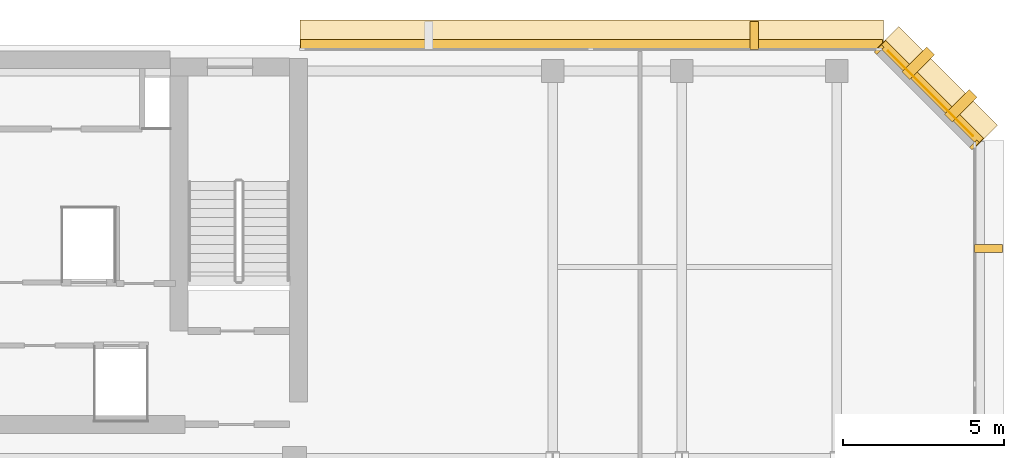
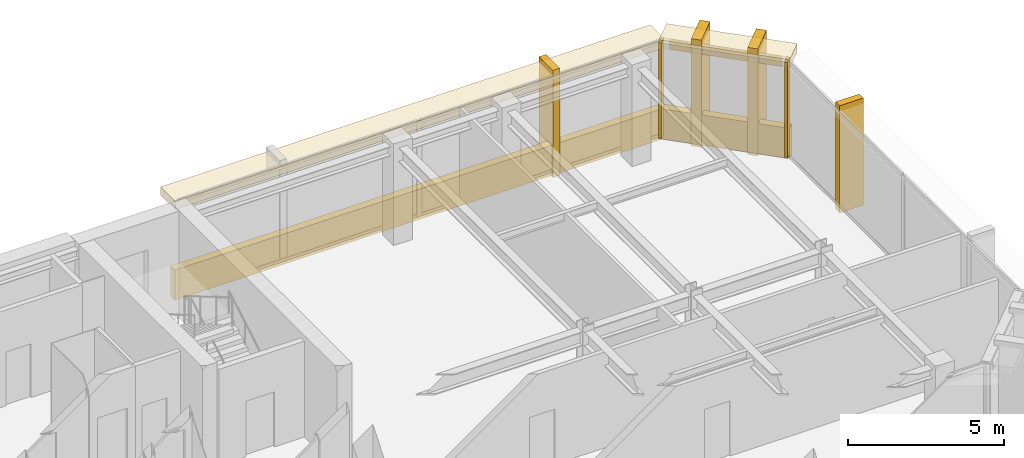
# One storey, part 11 of 11: 11 coverings.
"""IFC4 building model written with IfcOpenShell, lengths in metres."""

from ifc_helpers import new_model, si_unit, direction, frame, origin, origin_2d, place, context, subcontext, project, spatial, rectangle, extrude, material, layer, layer_set, type_object, element, save


model = new_model("IFC4")

# Units and contexts
model_context = context("Model", 3, precision=1e-05, world=origin(), true_north=direction((0.0, 1.0)))
body_context = subcontext(model_context, "Body", "Model", "MODEL_VIEW")
ifc_project = project(units=[si_unit("LENGTHUNIT", "METRE"), si_unit("AREAUNIT", "SQUARE_METRE"), si_unit("VOLUMEUNIT", "CUBIC_METRE"), si_unit("PLANEANGLEUNIT", "RADIAN"), si_unit("MASSUNIT", "GRAM", prefix="KILO")], contexts=[model_context])

# Site, building, storey
site_placement = place(None, origin())
site = spatial("IfcSite", under=ifc_project, at=site_placement, CompositionType="ELEMENT")
building_placement = place(site_placement, origin())
building = spatial("IfcBuilding", under=site, at=building_placement, Name="Kefirva Bronze Tower", CompositionType="ELEMENT")
storey_placement = place(building_placement, frame((0.0, 0.0, 276.2099609375)))
storey = spatial("IfcBuildingStorey", under=building, at=storey_placement, Name="L67", CompositionType="ELEMENT", Elevation=276.2099609375)

# Coverings
ifc_material = material(Name="Bronze anodised aluminium", Category="aluminium")
ifc_layer_1 = layer(ifc_material, 0.02001953125, Name="Bronze anodised aluminium")
ifc_layer_set_1 = layer_set([ifc_layer_1], Name="Bronze anodised aluminium")
covering_type_1 = type_object("IfcCoveringType", Name="Anodised Bronze Spandrel Cladding 20mm", PredefinedType="CLADDING", material=ifc_layer_set_1)
covering_1_placement = place(storey_placement, frame((42.906982421875, 44.507080078125, 3.320068359375), z_axis=(0.0, 0.0, 1.0), x_axis=(-0.707106781187, 0.707106781187, 0.0)))
element("IfcCovering", 1, at=covering_1_placement, inside=storey, type_object=covering_type_1, Name="L67 Bronze Spandrel Cladding 5", PredefinedType="CLADDING", context=body_context, shape_type="SweptSolid", body=[
    extrude(rectangle(XDim=3.719482421875, YDim=0.02001953125, at=origin_2d()), origin(), (0.0, 0.0, 1.0), 0.39990234375),
])
for number, where, z_axis, x_axis, name in (
    (2, (44.26220703125, 42.91162109375, 0.0), (0.0, 0.0, 1.0), (-0.707106781187, 0.707106781187, 0.0), "L67 Facade Joint Closure Panel 5S"),
    (3, (41.311767578125, 45.862060546875, 0.0), (0.0, 0.0, 1.0), (-0.707106781187, 0.707106781187, 0.0), "L67 Facade Joint Closure Panel 5E"),
):
    element("IfcCovering", number, at=place(storey_placement, frame(where, z_axis=z_axis, x_axis=x_axis)), inside=storey, type_object=covering_type_1, Name=name, PredefinedType="CLADDING", context=body_context, shape_type="SweptSolid", body=[
        extrude(rectangle(XDim=0.10009765625, YDim=0.320068359375, at=origin_2d()), origin(), (0.0, 0.0, 1.0), 3.739990234375),
    ])
covering_2_placement = place(storey_placement, frame((42.92822265625, 44.5283203125, -0.16015625), z_axis=(0.0, 0.0, 1.0), x_axis=(-0.707106781187, 0.707106781187, 0.0)))
element("IfcCovering", 4, at=covering_2_placement, inside=storey, type_object=covering_type_1, Name="L67 Streamline Horizontal Spandrel Band 7", PredefinedType="CLADDING", context=body_context, shape_type="SweptSolid", body=[
    extrude(rectangle(XDim=4.28271484375, YDim=0.280029296875, at=origin_2d()), origin(), (0.0, 0.0, 1.0), 1.179931640625),
])
covering_3_placement = place(storey_placement, frame((32.402587890625, 46.0400390625, -0.16015625), z_axis=(0.0, 0.0, 1.0), x_axis=(-1.0, 0.0, 0.0)))
element("IfcCovering", 5, at=covering_3_placement, inside=storey, type_object=covering_type_1, Name="L67 Streamline Horizontal Spandrel Band 8", PredefinedType="CLADDING", context=body_context, shape_type="SweptSolid", body=[
    extrude(rectangle(XDim=18.034912109375, YDim=0.280029296875, at=origin_2d()), origin(), (0.0, 0.0, 1.0), 1.179931640625),
])
ifc_layer_2 = layer(ifc_material, 0.179931640625, Name="Bronze anodised aluminium")
ifc_layer_set_2 = layer_set([ifc_layer_2], Name="Bronze anodised aluminium")
covering_type_2 = type_object("IfcCoveringType", Name="Streamline Bronze Sunshade Eyebrow Cladding 180mm", PredefinedType="CLADDING", material=ifc_layer_set_2)
covering_4_placement = place(storey_placement, frame((43.119140625, 44.71923828125, 3.419921875), z_axis=(0.0, 0.0, 1.0), x_axis=(-0.707106781187, 0.707106781187, 0.0)))
element("IfcCovering", 6, at=covering_4_placement, inside=storey, type_object=covering_type_2, Name="L67 Streamline Bronze Sunshade Eyebrow 7", PredefinedType="CLADDING", context=body_context, shape_type="SweptSolid", body=[
    extrude(rectangle(XDim=4.322509765625, YDim=0.93994140625, at=origin_2d()), origin(), (0.0, 0.0, 1.0), 0.320068359375),
])
covering_5_placement = place(storey_placement, frame((32.402587890625, 46.31005859375, 3.419921875), z_axis=(0.0, 0.0, 1.0), x_axis=(-1.0, 0.0, 0.0)))
element("IfcCovering", 7, at=covering_5_placement, inside=storey, type_object=covering_type_2, Name="L67 Streamline Bronze Sunshade Eyebrow 8", PredefinedType="CLADDING", context=body_context, shape_type="SweptSolid", body=[
    extrude(rectangle(XDim=18.074951171875, YDim=0.93994140625, at=origin_2d()), origin(), (0.0, 0.0, 1.0), 0.320068359375),
])
ifc_layer_3 = layer(ifc_material, 0.260009765625, Name="Bronze anodised aluminium")
ifc_layer_set_3 = layer_set([ifc_layer_3], Name="Bronze anodised aluminium")
covering_type_3 = type_object("IfcCoveringType", Name="Unbroken Bronze Buttress Fin Cladding 260mm", PredefinedType="CLADDING", material=ifc_layer_set_3)
covering_6_placement = place(storey_placement, frame((44.699951171875, 39.699951171875, -0.2197265625), z_axis=(0.0, 0.0, 1.0), x_axis=(0.0, 1.0, 0.0)))
element("IfcCovering", 8, at=covering_6_placement, inside=storey, type_object=covering_type_3, Name="L67 Unbroken Vertical Bronze Rib Fin 14", PredefinedType="CLADDING", context=body_context, shape_type="SweptSolid", body=[
    extrude(rectangle(XDim=0.260009765625, YDim=0.8798828125, at=origin_2d()), origin(), (0.0, 0.0, 1.0), 4.179931640625),
])
for number, where, z_axis, x_axis, name in (
    (9, (43.8427734375, 44.122802734375, -0.2197265625), (0.0, 0.0, 1.0), (-0.707106781187, 0.707106781187, 0.0), "L67 Chamfered Corner Buttress Fin Cladding 15"),
    (10, (42.522705078125, 45.44287109375, -0.2197265625), (0.0, 0.0, 1.0), (-0.707106781187, 0.707106781187, 0.0), "L67 Chamfered Corner Buttress Fin Cladding 16"),
):
    element("IfcCovering", number, at=place(storey_placement, frame(where, z_axis=z_axis, x_axis=x_axis)), inside=storey, type_object=covering_type_3, Name=name, PredefinedType="CLADDING", context=body_context, shape_type="SweptSolid", body=[
        extrude(rectangle(XDim=0.340087890625, YDim=1.080078125, at=origin_2d()), origin(), (0.0, 0.0, 1.0), 4.179931640625),
    ])
covering_7_placement = place(storey_placement, frame((37.441162109375, 46.300048828125, -0.2197265625), z_axis=(0.0, 0.0, 1.0), x_axis=(-1.0, 0.0, 0.0)))
element("IfcCovering", 11, at=covering_7_placement, inside=storey, type_object=covering_type_3, Name="L67 Unbroken Vertical Bronze Rib Fin 17", PredefinedType="CLADDING", context=body_context, shape_type="SweptSolid", body=[
    extrude(rectangle(XDim=0.260009765625, YDim=0.8798828125, at=origin_2d()), origin(), (0.0, 0.0, 1.0), 4.179931640625),
])

save(model, "model.ifc")
